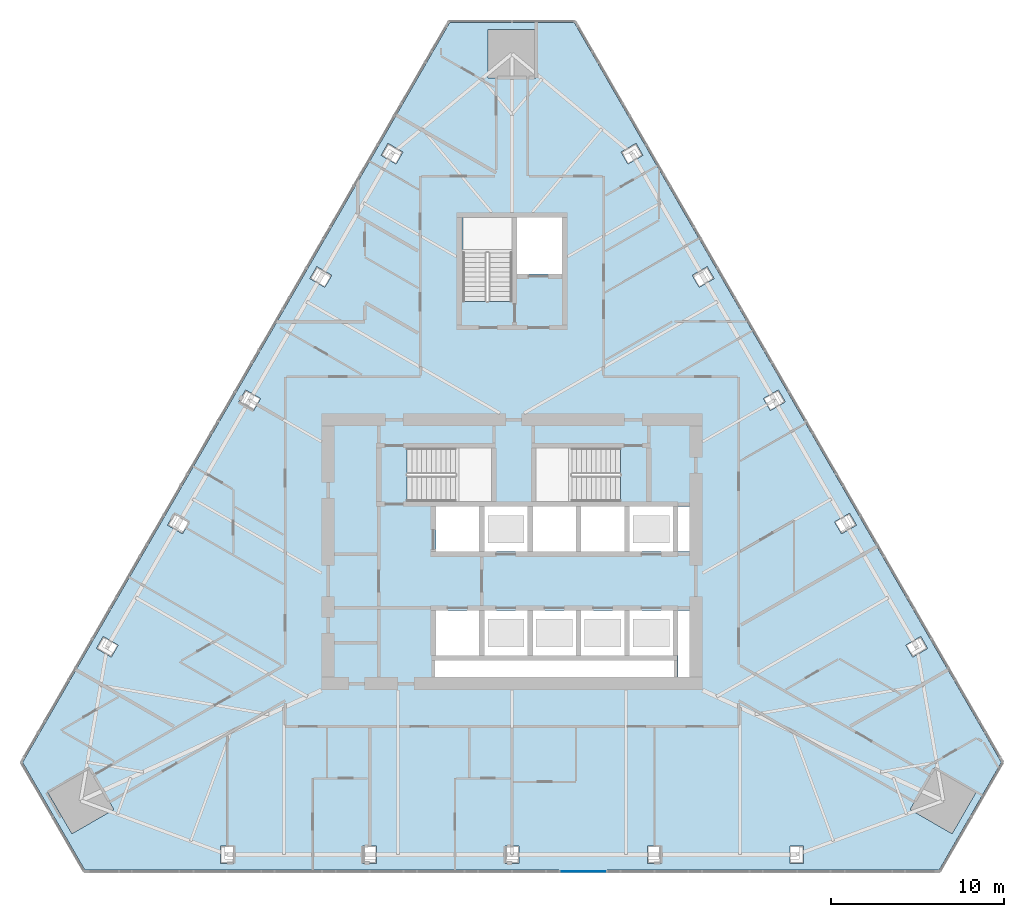
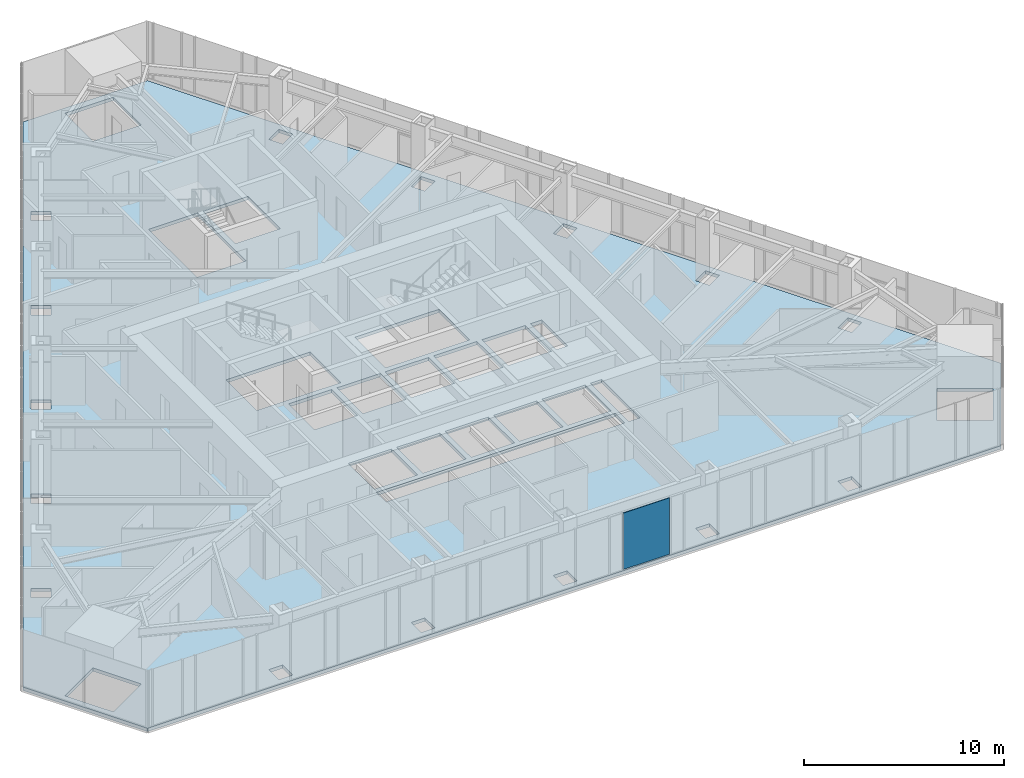
# One storey, part 14 of 24: 1 plate, 1 slab, 1 element without a shape of its own.
"""IFC4 building model written with IfcOpenShell, lengths in metres."""

from ifc_helpers import new_model, si_unit, direction, frame, origin, place, context, subcontext, project, spatial, polyline, outline, extrude, material, layer, layer_set, type_object, element, aggregate, save


model = new_model("IFC4")

# Units and contexts
model_context = context("Model", 3, precision=1e-05, world=origin(), true_north=direction((0.0, 1.0)))
body_context = subcontext(model_context, "Body", "Model", "MODEL_VIEW")
ifc_project = project(units=[si_unit("LENGTHUNIT", "METRE"), si_unit("AREAUNIT", "SQUARE_METRE"), si_unit("VOLUMEUNIT", "CUBIC_METRE"), si_unit("PLANEANGLEUNIT", "RADIAN"), si_unit("MASSUNIT", "GRAM", prefix="KILO")], contexts=[model_context])

# Site, building, storey
site_placement = place(None, origin())
site = spatial("IfcSite", under=ifc_project, at=site_placement, CompositionType="ELEMENT")
building_placement = place(site_placement, origin())
building = spatial("IfcBuilding", under=site, at=building_placement, Name="Firuza Gate Tower and Library", CompositionType="ELEMENT")
storey_placement = place(building_placement, frame((0.0, 0.0, 237.699951171875)))
storey = spatial("IfcBuildingStorey", under=building, at=storey_placement, Name="L56", CompositionType="ELEMENT", Elevation=237.699951171875)

# Slab
ifc_material_1 = material(Name="Concrete C40/50", Category="concrete")
ifc_layer_1 = layer(ifc_material_1, 0.199951171875)
ifc_layer_set_1 = layer_set([ifc_layer_1], Name="Composite floor slab 200 C40/50")
slab_type = type_object("IfcSlabType", Name="Composite floor slab 200 C40/50", PredefinedType="FLOOR", material=ifc_layer_set_1)
slab_placement = place(storey_placement, frame((0.0, 0.0, -0.199951171875)))
element("IfcSlab", 1, at=slab_placement, inside=storey, type_object=slab_type, Name="Floor slab L56", PredefinedType="FLOOR", context=body_context, shape_type="SweptSolid", body=[
    extrude(outline(polyline([(46.723388671875, 62.831298828125), (50.323486328125, 56.595947265625), (99.676513671875, 56.595947265625), (103.276611328125, 62.831298828125), (78.60009765625, 105.572509765625), (71.39990234375, 105.572509765625), (46.723388671875, 62.831298828125)]), holes=[polyline([(58.14892578125, 56.99609375), (58.14892578125, 57.99609375), (58.948974609375, 57.99609375), (58.948974609375, 56.99609375), (58.14892578125, 56.99609375)]), polyline([(74.60009765625, 56.99609375), (74.60009765625, 57.99609375), (75.39990234375, 57.99609375), (75.39990234375, 56.99609375), (74.60009765625, 56.99609375)]), polyline([(66.37451171875, 56.99609375), (66.37451171875, 57.99609375), (67.174560546875, 57.99609375), (67.174560546875, 56.99609375), (66.37451171875, 56.99609375)]), polyline([(48.169677734375, 61.126220703125), (50.5947265625, 62.526123046875), (51.99462890625, 60.101318359375), (49.56982421875, 58.701171875), (48.169677734375, 61.126220703125)]), polyline([(84.35009765625, 67.75), (70.550048828125, 67.75), (70.550048828125, 68.699951171875), (84.35009765625, 68.699951171875), (84.35009765625, 67.75)]), polyline([(51.382568359375, 70.101318359375), (52.24853515625, 69.601318359375), (51.8486328125, 68.908447265625), (50.982666015625, 69.408447265625), (51.382568359375, 70.101318359375)]), polyline([(73.10009765625, 69.0), (70.60009765625, 69.0), (70.60009765625, 71.60009765625), (73.10009765625, 71.60009765625), (73.10009765625, 69.0)]), polyline([(75.89990234375, 69.0), (73.39990234375, 69.0), (73.39990234375, 71.60009765625), (75.89990234375, 71.60009765625), (75.89990234375, 69.0)]), polyline([(73.10009765625, 75.0), (70.60009765625, 75.0), (70.60009765625, 77.60009765625), (73.10009765625, 77.60009765625), (73.10009765625, 75.0)]), polyline([(75.89990234375, 75.0), (73.39990234375, 75.0), (73.39990234375, 77.60009765625), (75.89990234375, 77.60009765625), (75.89990234375, 75.0)]), polyline([(55.495361328125, 77.224853515625), (56.361328125, 76.724853515625), (55.96142578125, 76.031982421875), (55.09521484375, 76.531982421875), (55.495361328125, 77.224853515625)]), polyline([(73.81005859375, 77.89990234375), (68.9404296875, 77.89990234375), (68.9404296875, 80.97998046875), (73.81005859375, 80.97998046875), (73.81005859375, 77.89990234375)]), polyline([(59.608154296875, 84.348388671875), (60.47412109375, 83.848388671875), (60.07421875, 83.155517578125), (59.2080078125, 83.655517578125), (59.608154296875, 84.348388671875)]), polyline([(63.720947265625, 91.471923828125), (64.5869140625, 90.971923828125), (64.18701171875, 90.279052734375), (63.32080078125, 90.779052734375), (63.720947265625, 91.471923828125)]), polyline([(72.159912109375, 89.470458984375), (72.159912109375, 94.300048828125), (75.0, 94.300048828125), (75.0, 89.470458984375), (72.159912109375, 89.470458984375)]), polyline([(75.300048828125, 91.050048828125), (75.300048828125, 94.300048828125), (77.89990234375, 94.300048828125), (77.89990234375, 91.050048828125), (75.300048828125, 91.050048828125)]), polyline([(68.69970703125, 98.095458984375), (68.299560546875, 97.402587890625), (67.43359375, 97.902587890625), (67.833740234375, 98.595458984375), (68.69970703125, 98.095458984375)]), polyline([(76.39990234375, 105.172607421875), (76.39990234375, 102.37255859375), (73.60009765625, 102.37255859375), (73.60009765625, 105.172607421875), (76.39990234375, 105.172607421875)]), polyline([(91.051025390625, 56.99609375), (91.051025390625, 57.99609375), (91.85107421875, 57.99609375), (91.85107421875, 56.99609375), (91.051025390625, 56.99609375)]), polyline([(82.825439453125, 56.99609375), (82.825439453125, 57.99609375), (83.62548828125, 57.99609375), (83.62548828125, 56.99609375), (82.825439453125, 56.99609375)]), polyline([(100.43017578125, 58.701171875), (98.00537109375, 60.101318359375), (99.4052734375, 62.526123046875), (101.830322265625, 61.126220703125), (100.43017578125, 58.701171875)]), polyline([(99.017333984375, 69.408447265625), (98.1513671875, 68.908447265625), (97.75146484375, 69.601318359375), (98.617431640625, 70.101318359375), (99.017333984375, 69.408447265625)]), polyline([(85.25, 67.75), (84.60009765625, 67.75), (84.60009765625, 71.60009765625), (85.25, 71.60009765625), (85.25, 67.75)]), polyline([(81.5, 69.0), (79.0, 69.0), (79.0, 71.60009765625), (81.5, 71.60009765625), (81.5, 69.0)]), polyline([(81.800048828125, 69.0), (81.800048828125, 71.60009765625), (84.300048828125, 71.60009765625), (84.300048828125, 69.0), (81.800048828125, 69.0)]), polyline([(76.199951171875, 69.0), (76.199951171875, 71.60009765625), (78.699951171875, 71.60009765625), (78.699951171875, 69.0), (76.199951171875, 69.0)]), polyline([(81.5, 75.0), (79.0, 75.0), (79.0, 77.60009765625), (81.5, 77.60009765625), (81.5, 75.0)]), polyline([(84.300048828125, 75.0), (81.800048828125, 75.0), (81.800048828125, 77.60009765625), (84.300048828125, 77.60009765625), (84.300048828125, 75.0)]), polyline([(85.25, 75.0), (84.60009765625, 75.0), (84.60009765625, 77.60009765625), (85.25, 77.60009765625), (85.25, 75.0)]), polyline([(78.699951171875, 75.0), (76.199951171875, 75.0), (76.199951171875, 77.60009765625), (78.699951171875, 77.60009765625), (78.699951171875, 75.0)]), polyline([(94.90478515625, 76.531982421875), (94.03857421875, 76.031982421875), (93.638671875, 76.724853515625), (94.504638671875, 77.224853515625), (94.90478515625, 76.531982421875)]), polyline([(81.259521484375, 77.89990234375), (76.389892578125, 77.89990234375), (76.389892578125, 80.97998046875), (81.259521484375, 80.97998046875), (81.259521484375, 77.89990234375)]), polyline([(90.7919921875, 83.655517578125), (89.92578125, 83.155517578125), (89.52587890625, 83.848388671875), (90.391845703125, 84.348388671875), (90.7919921875, 83.655517578125)]), polyline([(85.81298828125, 90.279052734375), (85.4130859375, 90.971923828125), (86.279052734375, 91.471923828125), (86.67919921875, 90.779052734375), (85.81298828125, 90.279052734375)]), polyline([(81.700439453125, 97.402587890625), (81.30029296875, 98.095458984375), (82.166259765625, 98.595458984375), (82.56640625, 97.902587890625), (81.700439453125, 97.402587890625)])]), origin(), (0.0, 0.0, 1.0), 0.199951171875),
])

# Curtain wall, plate
ifc_material_2 = material(Name="Aluminium 6063-T6", Category="aluminium")
ifc_layer_2 = layer(ifc_material_2, 0.14990234375)
ifc_layer_set_2 = layer_set([ifc_layer_2], Name="Unitised curtain wall, hotel")
curtain_wall_type = type_object("IfcCurtainWallType", Name="Unitised curtain wall, hotel", PredefinedType="NOTDEFINED", material=ifc_layer_set_2)
curtain_wall_placement = place(storey_placement, origin())
curtain_wall = element("IfcCurtainWall", 2, at=curtain_wall_placement, inside=storey, type_object=curtain_wall_type, Name="CW2 L56 S face", PredefinedType="NOTDEFINED")
ifc_material_3 = material(Name="Glazed ceramic tile")
ifc_layer_3 = layer(ifc_material_3, 0.030029296875)
ifc_layer_set_3 = layer_set([ifc_layer_3], Name="Opaque ceramic panel, hotel")
plate_type = type_object("IfcPlateType", Name="Opaque ceramic panel, hotel", PredefinedType="CURTAIN_PANEL", material=ifc_layer_set_3)
plate_placement = place(storey_placement, frame((77.78662109375, 56.506103515625, 0.150146484375), z_axis=(0.0, -1.0, 0.0), x_axis=(1.0, 0.0, 0.0)))
plate = element("IfcPlate", 3, at=plate_placement, type_object=plate_type, Name="Opaque ceramic panel", PredefinedType="CURTAIN_PANEL", context=body_context, shape_type="SweptSolid", body=[
    extrude(outline(polyline([(0.0, 0.0), (2.666748046875, 0.0), (2.666748046875, 3.449951171875), (0.0, 3.449951171875), (0.0, 0.0)])), origin(), (0.0, 0.0, -1.0), 0.030029296875),
])
aggregate(curtain_wall, [plate])

save(model, "model.ifc")
